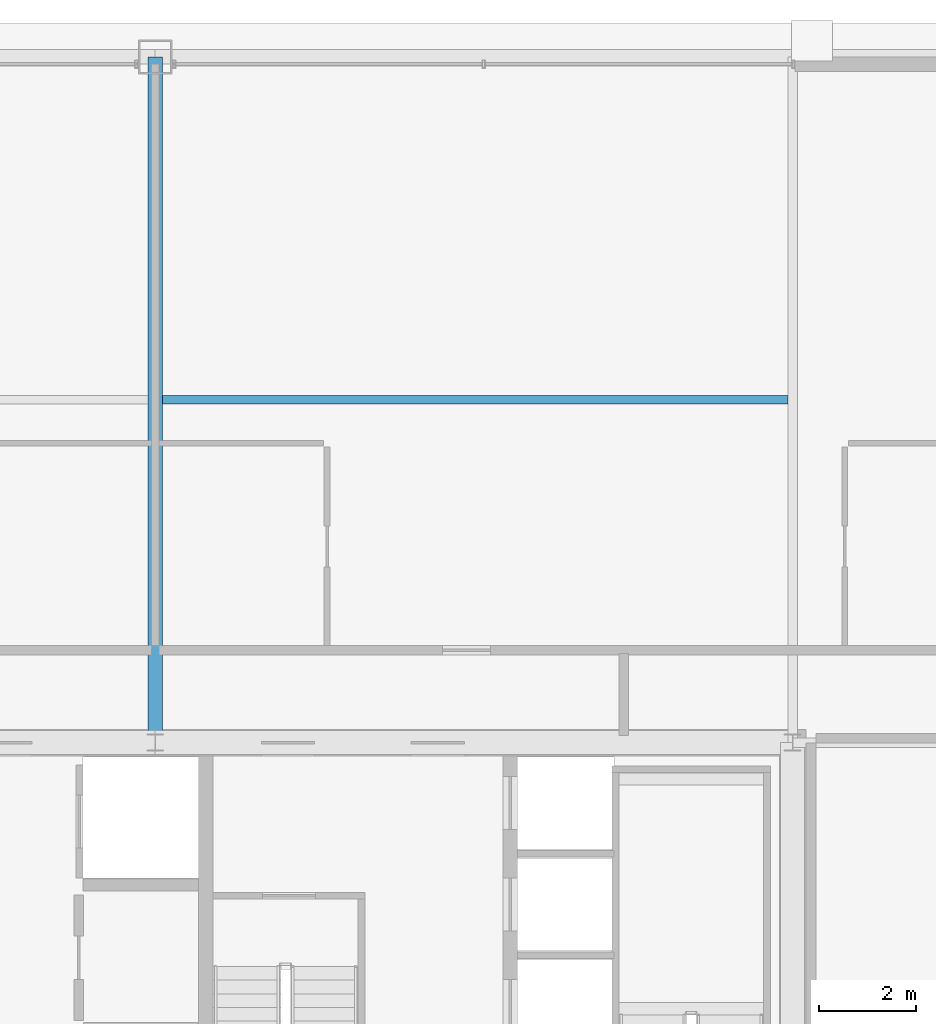
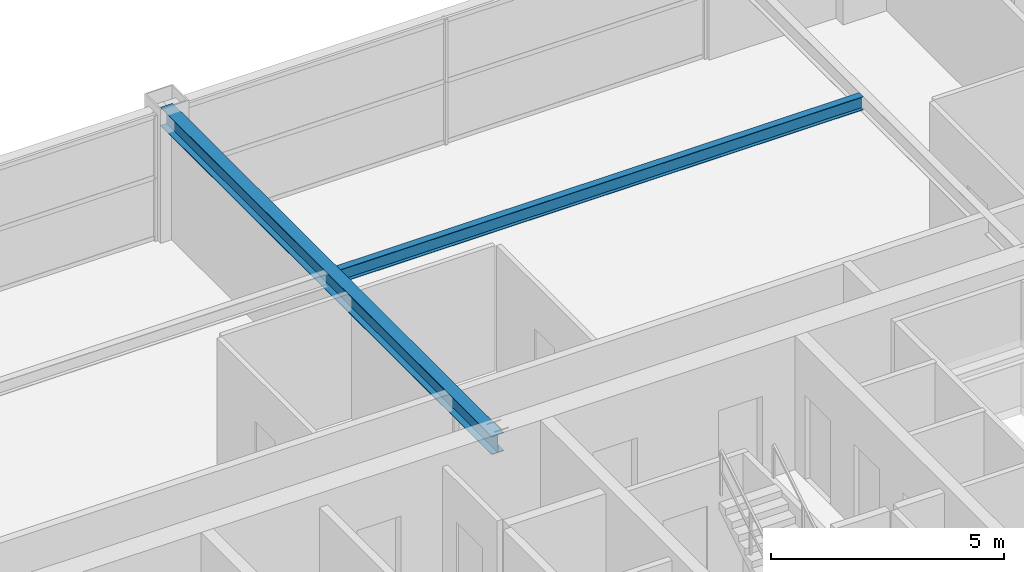
# One storey, part 28 of 37: 2 beams.
"""IFC4 building model written with IfcOpenShell, lengths in metres."""

import ifcopenshell
import ifcopenshell.guid

model = None  # the IFC model being written
_history = None  # IfcOwnerHistory: only IFC2X3 demands one
_inside = {}  # id of a spatial element -> (the spatial element, [elements in it])
_under = {}  # id of a project, library or spatial element -> (it, [spatial elements below it])
_declared = {}  # id of a project -> (the project, [libraries it declares])
_typed = {}  # id of a type object -> (the type object, [elements of that type])
_made_of = {}  # id of a material, layer set ... -> (it, [elements and type objects made of it])


def new_model(schema):
    """Start an empty IFC model of exactly this schema.

    Asked for "IFC4X3", IfcOpenShell would pick the latest addendum, in which some entities
    have other attributes; the version numbers below select the first issue.
    IFC2X3 requires an IfcOwnerHistory on every rooted entity: one is made here for all.
    """
    global model, _history
    if schema == "IFC4X3":
        model = ifcopenshell.file(schema_version=(4, 3, 0, 0))
    else:
        model = ifcopenshell.file(schema=schema)
    _inside.clear()
    _under.clear()
    _declared.clear()
    _typed.clear()
    _made_of.clear()
    _history = None
    if model.schema == "IFC2X3":
        org = make("IfcOrganization", Name="unknown")
        user = make(
            "IfcPersonAndOrganization",
            ThePerson=make("IfcPerson", FamilyName="unknown"),
            TheOrganization=org,
        )
        app = make(
            "IfcApplication",
            ApplicationDeveloper=org,
            Version="unknown",
            ApplicationFullName="unknown",
            ApplicationIdentifier="unknown",
        )
        _history = make(
            "IfcOwnerHistory",
            OwningUser=user,
            OwningApplication=app,
            ChangeAction="ADDED",
            CreationDate=0,
        )
    return model


def make(cls, **values):
    """One entity of the class cls with the attributes given. An attribute that is None is left unset."""
    return model.create_entity(
        cls, **{name: value for name, value in values.items() if value is not None}
    )


def rooted(cls, **values):
    """An entity with a GlobalId (a new one), such as an element, a storey or a relation."""
    return make(cls, GlobalId=ifcopenshell.guid.new(), OwnerHistory=_history, **values)


def si_unit(unit_type, name, prefix=None):
    """IfcSIUnit, for example si_unit("LENGTHUNIT", "METRE", prefix="MILLI")."""
    return make("IfcSIUnit", UnitType=unit_type, Prefix=prefix, Name=name)


def assignment(units):
    """IfcUnitAssignment: the units of a project."""
    return None if units is None else make("IfcUnitAssignment", Units=units)


def point(xyz):
    """IfcCartesianPoint."""
    return None if xyz is None else make("IfcCartesianPoint", Coordinates=xyz)


def direction(xyz):
    """IfcDirection."""
    return None if xyz is None else make("IfcDirection", DirectionRatios=xyz)


def frame(location, z_axis=None, x_axis=None):
    """IfcAxis2Placement3D, a coordinate frame: its origin and axes. An axis left out is left unset."""
    return make(
        "IfcAxis2Placement3D",
        Location=point(location),
        Axis=direction(z_axis),
        RefDirection=direction(x_axis),
    )


def frame_2d(location, x_axis=None):
    """IfcAxis2Placement2D, a coordinate frame in the plane: its origin and x axis."""
    return make(
        "IfcAxis2Placement2D", Location=point(location), RefDirection=direction(x_axis)
    )


def origin():
    """The frame at (0, 0, 0) with its axes left unset."""
    return frame((0.0, 0.0, 0.0))


def origin_2d():
    """The frame at (0, 0) in the plane with its x axis left unset."""
    return frame_2d((0.0, 0.0))


def place(relative_to, where):
    """IfcLocalPlacement: puts the frame where relative to a parent placement (None: the world)."""
    return make(
        "IfcLocalPlacement", PlacementRelTo=relative_to, RelativePlacement=where
    )


def context(
    kind, dimensions, precision=None, world=None, true_north=None, identifier=None
):
    """IfcGeometricRepresentationContext, for example the 3D "Model" context."""
    return make(
        "IfcGeometricRepresentationContext",
        ContextIdentifier=identifier,
        ContextType=kind,
        CoordinateSpaceDimension=dimensions,
        Precision=precision,
        WorldCoordinateSystem=world,
        TrueNorth=true_north,
    )


def subcontext(parent, identifier, kind, view, scale=None):
    """IfcGeometricRepresentationSubContext, for example "Body" below "Model"."""
    return make(
        "IfcGeometricRepresentationSubContext",
        ContextIdentifier=identifier,
        ContextType=kind,
        ParentContext=parent,
        TargetScale=scale,
        TargetView=view,
    )


def project(units=None, contexts=None):
    """IfcProject with its units and contexts."""
    return rooted(
        "IfcProject",
        Name="project",
        RepresentationContexts=contexts,
        UnitsInContext=assignment(units),
    )


def spatial(cls, under=None, at=None, **own):
    """A site, building, storey or space (cls), placed at a placement, below another one or the project."""
    s = rooted(cls, ObjectPlacement=at, **own)
    if under is not None:
        _under.setdefault(under.id(), (under, []))[1].append(s)
    return s


def profile(cls, at=None, kind="AREA", **sizes):
    """A parametric profile (cls). Its sizes go by their IFC names, for example OverallWidth=200.0."""
    return make(cls, ProfileType=kind, Position=at, **sizes)


def i_section(**sizes):
    """IfcIShapeProfileDef."""
    return profile("IfcIShapeProfileDef", **sizes)


def extrude(swept, where, along, depth):
    """IfcExtrudedAreaSolid: the profile swept, set in the frame where, extruded along a direction by depth."""
    return make(
        "IfcExtrudedAreaSolid",
        SweptArea=swept,
        Position=where,
        ExtrudedDirection=direction(along),
        Depth=depth,
    )


def shape(context_of_items, identifier, shape_type, items):
    """IfcShapeRepresentation: the items that make up one representation, for example the "Body"."""
    return make(
        "IfcShapeRepresentation",
        ContextOfItems=context_of_items,
        RepresentationIdentifier=identifier,
        RepresentationType=shape_type,
        Items=items,
    )


def source(mapping_origin, context_of_items, identifier, shape_type, items):
    """IfcRepresentationMap: a shape defined once, which mapped items show again and again."""
    return make(
        "IfcRepresentationMap",
        MappingOrigin=mapping_origin,
        MappedRepresentation=shape(context_of_items, identifier, shape_type, items),
    )


def transform(
    local_origin,
    x_axis=None,
    y_axis=None,
    z_axis=None,
    scale=None,
    scale2=None,
    scale3=None,
    uniform=True,
):
    """IfcCartesianTransformationOperator3D, or its non-uniform kind. x_axis, y_axis, z_axis: its Axis1, 2, 3."""
    if uniform:
        return make(
            "IfcCartesianTransformationOperator3D",
            Axis1=direction(x_axis),
            Axis2=direction(y_axis),
            LocalOrigin=point(local_origin),
            Scale=scale,
            Axis3=direction(z_axis),
        )
    return make(
        "IfcCartesianTransformationOperator3DnonUniform",
        Axis1=direction(x_axis),
        Axis2=direction(y_axis),
        LocalOrigin=point(local_origin),
        Scale=scale,
        Axis3=direction(z_axis),
        Scale2=scale2,
        Scale3=scale3,
    )


def mapped(mapping_source, mapping_target):
    """IfcMappedItem: shows the shape of a source again, moved by a transform."""
    return make(
        "IfcMappedItem", MappingSource=mapping_source, MappingTarget=mapping_target
    )


def material(Name=None, Category=None):
    """IfcMaterial."""
    return make("IfcMaterial", Name=Name, Category=Category)


def material_profile(
    of_material, cross_section, Name=None, Category=None, Priority=None
):
    """IfcMaterialProfile: a cross section and its material."""
    return make(
        "IfcMaterialProfile",
        Name=Name,
        Material=of_material,
        Profile=cross_section,
        Priority=Priority,
        Category=Category,
    )


def profile_set(profiles, Name=None, composite=None):
    """IfcMaterialProfileSet."""
    return make(
        "IfcMaterialProfileSet",
        Name=Name,
        MaterialProfiles=profiles,
        CompositeProfile=composite,
    )


def made_of(thing, what):
    """Note that an element or type object is made of a material, layer set ...; save() writes the relation."""
    if what is not None:
        _made_of.setdefault(what.id(), (what, []))[1].append(thing)
    return thing


def type_object(cls, material=None, **own):
    """A type object (cls), such as IfcWallType, which elements share."""
    return made_of(rooted(cls, **own), material)


def element(
    cls,
    number,
    at=None,
    inside=None,
    cuts=None,
    type_object=None,
    material=None,
    context=None,
    identifier="Body",
    shape_type=None,
    held_by="IfcProductDefinitionShape",
    body=None,
    shapes=None,
    **own,
):
    """One element of the class cls, such as IfcWall. Its Tag is "e" and its number.

    at: its placement. inside: the storey or other place that contains it. cuts: it is an
    opening in that element (IfcRelVoidsElement). A single representation is given by context,
    identifier, shape_type and body (its items); several are given by shapes. held_by: the class
    of the entity that holds the representations. save() writes the other relations.
    """
    e = rooted(cls, Tag="e%d" % number, ObjectPlacement=at, **own)
    if body is not None:
        shapes = [shape(context, identifier, shape_type, body)]
    if shapes is not None:
        e.Representation = make(held_by, Representations=shapes)
    if inside is not None:
        _inside.setdefault(inside.id(), (inside, []))[1].append(e)
    if cuts is not None:
        rooted(
            "IfcRelVoidsElement", RelatingBuildingElement=cuts, RelatedOpeningElement=e
        )
    if type_object is not None:
        _typed.setdefault(type_object.id(), (type_object, []))[1].append(e)
    return made_of(e, material)


def aggregate(whole, parts):
    """IfcRelAggregates: a whole, such as a stair, and the parts it consists of."""
    return rooted("IfcRelAggregates", RelatingObject=whole, RelatedObjects=parts)


def save(model, path):
    """Write the relations noted so far, then the file.

    IfcRelAggregates (storeys below a building ...), IfcRelContainedInSpatialStructure (elements
    in a storey), IfcRelDefinesByType, IfcRelAssociatesMaterial and IfcRelDeclares: one each for
    every whole, place, type object, material and project.
    """
    for whole, parts in _under.values():
        aggregate(whole, parts)
    for where, things in _inside.values():
        rooted(
            "IfcRelContainedInSpatialStructure",
            RelatedElements=things,
            RelatingStructure=where,
        )
    for kind, things in _typed.values():
        rooted("IfcRelDefinesByType", RelatedObjects=things, RelatingType=kind)
    for what, things in _made_of.values():
        rooted("IfcRelAssociatesMaterial", RelatedObjects=things, RelatingMaterial=what)
    for by, libraries in _declared.values():
        rooted("IfcRelDeclares", RelatingContext=by, RelatedDefinitions=libraries)
    model.write(path)


model = new_model("IFC4")

# Units and contexts
model_context = context("Model", 3, precision=1e-05, world=origin(), true_north=direction((0.0, 1.0)))
body_context = subcontext(model_context, "Body", "Model", "MODEL_VIEW")
ifc_project = project(units=[si_unit("LENGTHUNIT", "METRE"), si_unit("AREAUNIT", "SQUARE_METRE"), si_unit("VOLUMEUNIT", "CUBIC_METRE"), si_unit("PLANEANGLEUNIT", "RADIAN"), si_unit("MASSUNIT", "GRAM", prefix="KILO"), si_unit("THERMODYNAMICTEMPERATUREUNIT", "KELVIN"), si_unit("POWERUNIT", "WATT")], contexts=[model_context])

# Site, building, storey
site_placement = place(None, origin())
site = spatial("IfcSite", under=ifc_project, at=site_placement, CompositionType="ELEMENT")
building_placement = place(site_placement, origin())
building = spatial("IfcBuilding", under=site, at=building_placement, Name="Yuzanri Waterfront Tower", CompositionType="ELEMENT")
storey_placement = place(building_placement, frame((0.0, 0.0, 275.10009765625)))
storey = spatial("IfcBuildingStorey", under=building, at=storey_placement, Name="L73", CompositionType="ELEMENT", Elevation=275.10009765625)

# Beams
ifc_material_1 = material(Name="Steel Q355B", Category="steel")
ifc_material_profile_1 = material_profile(ifc_material_1, i_section(OverallWidth=0.300048828125, OverallDepth=0.488037109375, WebThickness=0.010986328125, FlangeThickness=0.01806640625, at=origin_2d()), Name="HM 488x300x11x18")
ifc_profile_set_1 = profile_set([ifc_material_profile_1], Name="Steel Q355B")
beam_type_1 = type_object("IfcBeamType", Name="Primary Floor Girder Q355B HM 488x300", PredefinedType="BEAM", material=ifc_profile_set_1)
shared_shape_1 = source(origin(), body_context, "Body", "SweptSolid", [
    extrude(i_section(OverallWidth=0.300048828125, OverallDepth=0.488037109375, WebThickness=0.010986328125, FlangeThickness=0.01806640625, at=origin_2d()), origin(), (0.0, 0.0, 1.0), 14.199951171875),
])
beam_1_placement = place(storey_placement, frame((37.0, 32.199951171875, 3.035888671875), z_axis=(0.0, 1.0, 0.0), x_axis=(-1.0, 0.0, 0.0)))
element("IfcBeam", 1, at=beam_1_placement, inside=storey, type_object=beam_type_1, Name="L73 North Grid Girder", PredefinedType="BEAM", context=body_context, shape_type="MappedRepresentation", body=[
    mapped(shared_shape_1, transform((0.0, 0.0, 0.0), scale=1.0)),
])
ifc_material_2 = material(Name="Steel Q355B", Category="steel")
ifc_material_profile_2 = material_profile(ifc_material_2, i_section(OverallWidth=0.175048828125, OverallDepth=0.35009765625, WebThickness=0.007080078125, FlangeThickness=0.010986328125, at=origin_2d()), Name="HN 350x175x7x11")
ifc_profile_set_2 = profile_set([ifc_material_profile_2], Name="Steel Q355B")
beam_type_2 = type_object("IfcBeamType", Name="Floor Joist Q355B HN 350x175", PredefinedType="JOIST", material=ifc_profile_set_2)
shared_shape_2 = source(origin(), body_context, "Body", "SweptSolid", [
    extrude(i_section(OverallWidth=0.175048828125, OverallDepth=0.35009765625, WebThickness=0.007080078125, FlangeThickness=0.010986328125, at=origin_2d()), origin(), (0.0, 0.0, 1.0), 12.9501953125),
])
beam_2_placement = place(storey_placement, frame((37.14990234375, 39.300048828125, 3.10498046875), z_axis=(1.0, 0.0, 0.0), x_axis=(0.0, 1.0, 0.0)))
element("IfcBeam", 2, at=beam_2_placement, inside=storey, type_object=beam_type_2, Name="L73 North Bay Joist E", PredefinedType="JOIST", context=body_context, shape_type="MappedRepresentation", body=[
    mapped(shared_shape_2, transform((0.0, 0.0, 0.0), scale=1.0)),
])

save(model, "model.ifc")
